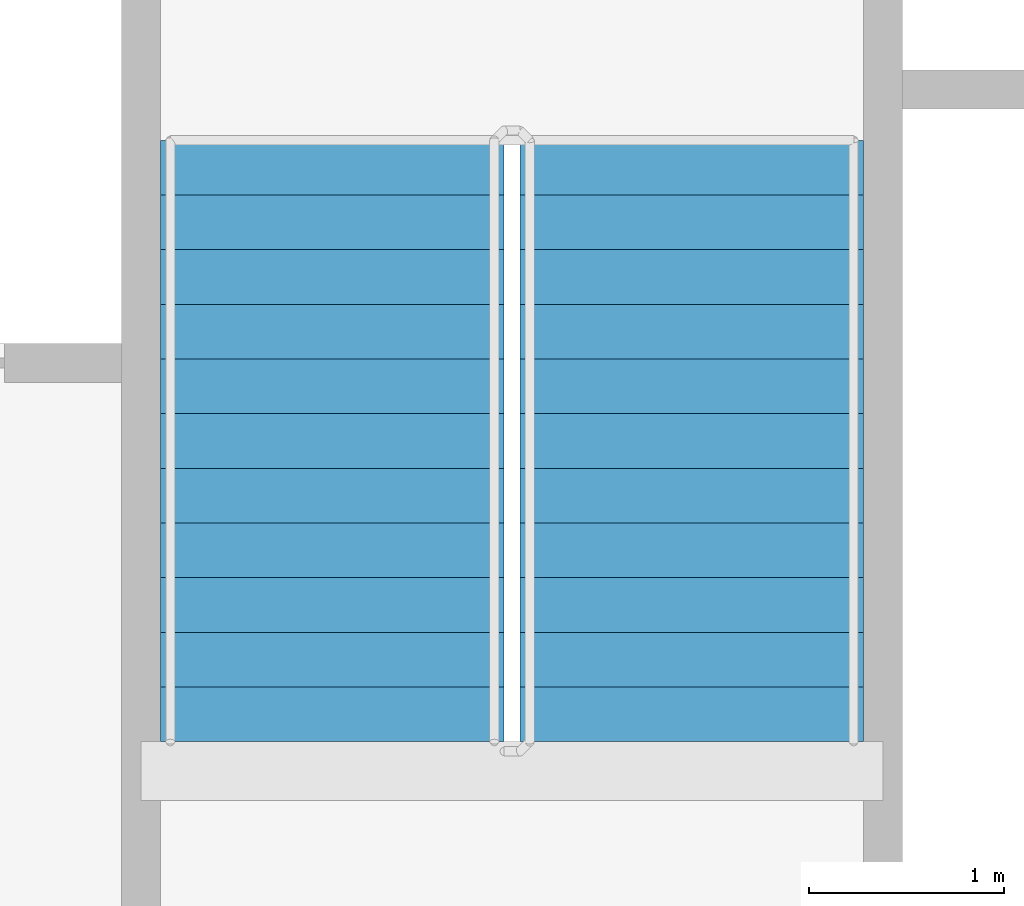
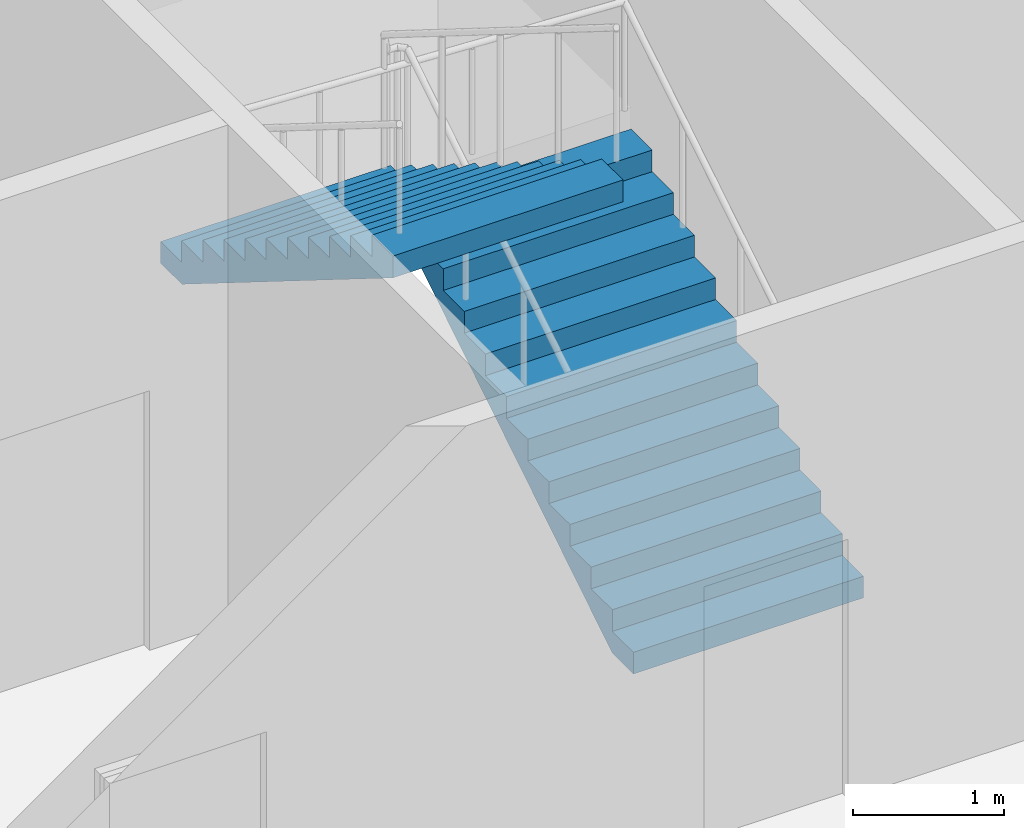
# One storey, part 28 of 33: 2 stair flights, 1 element without a shape of its own.
"""IFC4 building model written with IfcOpenShell, lengths in metres."""

from ifc_helpers import new_model, si_unit, direction, frame, origin, place, context, subcontext, project, spatial, faceted_brep, material, type_object, element, aggregate, save


model = new_model("IFC4")

# Units and contexts
model_context = context("Model", 3, precision=1e-05, world=origin(), true_north=direction((0.0, 1.0)))
body_context = subcontext(model_context, "Body", "Model", "MODEL_VIEW")
ifc_project = project(units=[si_unit("LENGTHUNIT", "METRE"), si_unit("AREAUNIT", "SQUARE_METRE"), si_unit("VOLUMEUNIT", "CUBIC_METRE"), si_unit("PLANEANGLEUNIT", "RADIAN"), si_unit("MASSUNIT", "GRAM", prefix="KILO")], contexts=[model_context])

# Site, building, storey
site_placement = place(None, origin())
site = spatial("IfcSite", under=ifc_project, at=site_placement, CompositionType="ELEMENT")
building_placement = place(site_placement, origin())
building = spatial("IfcBuilding", under=site, at=building_placement, Name="Tarsis Ring Headquarters", CompositionType="ELEMENT")
storey_placement = place(building_placement, frame((0.0, 0.0, 369.199951171875)))
storey = spatial("IfcBuildingStorey", under=building, at=storey_placement, Name="L87", CompositionType="ELEMENT", Elevation=369.199951171875)

# Stair, stair flights
ifc_material_1 = material(Name="Core stair 1760")
stair_type = type_object("IfcStairType", Name="Core stair 1760", PredefinedType="HALF_TURN_STAIR", material=ifc_material_1)
stair_placement = place(storey_placement, origin())
stair = element("IfcStair", 1, at=stair_placement, inside=storey, type_object=stair_type, Name="L87 Exit stair B", PredefinedType="HALF_TURN_STAIR")
ifc_material_2 = material(Name="Concrete C40/50", Category="concrete")
stair_flight_type = type_object("IfcStairFlightType", Name="Core stair flight 1760", PredefinedType="STRAIGHT", material=ifc_material_2)
stair_flight_1_placement = place(storey_placement, frame((5.419921875, 3.659912109375, 0.0), z_axis=(0.0, 0.0, 1.0), x_axis=(0.0, 1.0, 0.0)))
stair_flight_1 = element("IfcStairFlight", 2, at=stair_flight_1_placement, type_object=stair_flight_type, Name="Stair ST2 flight 1", NumberOfRisers=12, NumberOfTreads=11, PredefinedType="STRAIGHT", RiserHeight=0.175, TreadLength=0.28, context=body_context, shape_type="Brep", body=[
    faceted_brep([(0.0, 0.8798828125, 0.0), (0.0, 0.8798828125, 0.175048828125), (0.280029296875, 0.8798828125, 0.175048828125), (0.280029296875, 0.8798828125, 0.35009765625), (0.56005859375, 0.8798828125, 0.35009765625), (0.56005859375, 0.8798828125, 0.52490234375), (0.840087890625, 0.8798828125, 0.52490234375), (0.840087890625, 0.8798828125, 0.699951171875), (1.1201171875, 0.8798828125, 0.699951171875), (1.1201171875, 0.8798828125, 0.875), (1.39990234375, 0.8798828125, 0.875), (1.39990234375, 0.8798828125, 1.050048828125), (1.679931640625, 0.8798828125, 1.050048828125), (1.679931640625, 0.8798828125, 1.22509765625), (1.9599609375, 0.8798828125, 1.22509765625), (1.9599609375, 0.8798828125, 1.39990234375), (2.239990234375, 0.8798828125, 1.39990234375), (2.239990234375, 0.8798828125, 1.574951171875), (2.52001953125, 0.8798828125, 1.574951171875), (2.52001953125, 0.8798828125, 1.75), (2.800048828125, 0.8798828125, 1.75), (2.800048828125, 0.8798828125, 1.925048828125), (3.080078125, 0.8798828125, 1.925048828125), (3.080078125, 0.8798828125, 1.748291015625), (0.28271484375, 0.8798828125, 0.0), (0.28271484375, -0.8798828125, 0.0), (3.080078125, -0.8798828125, 1.748291015625), (3.080078125, -0.8798828125, 1.925048828125), (2.800048828125, -0.8798828125, 1.925048828125), (2.800048828125, -0.8798828125, 1.75), (2.52001953125, -0.8798828125, 1.75), (2.52001953125, -0.8798828125, 1.574951171875), (2.239990234375, -0.8798828125, 1.574951171875), (2.239990234375, -0.8798828125, 1.39990234375), (1.9599609375, -0.8798828125, 1.39990234375), (1.9599609375, -0.8798828125, 1.22509765625), (1.679931640625, -0.8798828125, 1.22509765625), (1.679931640625, -0.8798828125, 1.050048828125), (1.39990234375, -0.8798828125, 1.050048828125), (1.39990234375, -0.8798828125, 0.875), (1.1201171875, -0.8798828125, 0.875), (1.1201171875, -0.8798828125, 0.699951171875), (0.840087890625, -0.8798828125, 0.699951171875), (0.840087890625, -0.8798828125, 0.52490234375), (0.56005859375, -0.8798828125, 0.52490234375), (0.56005859375, -0.8798828125, 0.35009765625), (0.280029296875, -0.8798828125, 0.35009765625), (0.280029296875, -0.8798828125, 0.175048828125), (0.0, -0.8798828125, 0.175048828125), (0.0, -0.8798828125, 0.0), (0.0, -0.43994140625, 0.175048828125), (0.0, -0.43994140625, 0.0), (0.0, 0.0, 0.175048828125), (0.0, 0.0, 0.0), (0.0, 0.43994140625, 0.175048828125), (0.0, 0.43994140625, 0.0), (0.280029296875, -0.43994140625, 0.175048828125), (0.280029296875, 0.0, 0.175048828125), (0.280029296875, 0.43994140625, 0.175048828125), (0.280029296875, -0.43994140625, 0.35009765625), (0.280029296875, 0.0, 0.35009765625), (0.280029296875, 0.43994140625, 0.35009765625), (0.56005859375, -0.43994140625, 0.35009765625), (0.56005859375, 0.0, 0.35009765625), (0.56005859375, 0.43994140625, 0.35009765625), (0.56005859375, -0.43994140625, 0.52490234375), (0.56005859375, 0.0, 0.52490234375), (0.56005859375, 0.43994140625, 0.52490234375), (0.840087890625, -0.43994140625, 0.52490234375), (0.840087890625, 0.0, 0.52490234375), (0.840087890625, 0.43994140625, 0.52490234375), (0.840087890625, -0.43994140625, 0.699951171875), (0.840087890625, 0.0, 0.699951171875), (0.840087890625, 0.43994140625, 0.699951171875), (1.1201171875, -0.43994140625, 0.699951171875), (1.1201171875, 0.0, 0.699951171875), (1.1201171875, 0.43994140625, 0.699951171875), (1.1201171875, -0.43994140625, 0.875), (1.1201171875, 0.0, 0.875), (1.1201171875, 0.43994140625, 0.875), (1.39990234375, -0.43994140625, 0.875), (1.39990234375, 0.0, 0.875), (1.39990234375, 0.43994140625, 0.875), (1.39990234375, -0.43994140625, 1.050048828125), (1.39990234375, 0.0, 1.050048828125), (1.39990234375, 0.43994140625, 1.050048828125), (1.679931640625, -0.43994140625, 1.050048828125), (1.679931640625, 0.0, 1.050048828125), (1.679931640625, 0.43994140625, 1.050048828125), (1.679931640625, -0.43994140625, 1.22509765625), (1.679931640625, 0.0, 1.22509765625), (1.679931640625, 0.43994140625, 1.22509765625), (1.9599609375, -0.43994140625, 1.22509765625), (1.9599609375, 0.0, 1.22509765625), (1.9599609375, 0.43994140625, 1.22509765625), (1.9599609375, -0.43994140625, 1.39990234375), (1.9599609375, 0.0, 1.39990234375), (1.9599609375, 0.43994140625, 1.39990234375), (2.239990234375, -0.43994140625, 1.39990234375), (2.239990234375, 0.0, 1.39990234375), (2.239990234375, 0.43994140625, 1.39990234375), (2.239990234375, -0.43994140625, 1.574951171875), (2.239990234375, 0.0, 1.574951171875), (2.239990234375, 0.43994140625, 1.574951171875), (2.52001953125, -0.43994140625, 1.574951171875), (2.52001953125, 0.0, 1.574951171875), (2.52001953125, 0.43994140625, 1.574951171875), (2.52001953125, -0.43994140625, 1.75), (2.52001953125, 0.0, 1.75), (2.52001953125, 0.43994140625, 1.75), (2.800048828125, -0.43994140625, 1.75), (2.800048828125, 0.0, 1.75), (2.800048828125, 0.43994140625, 1.75), (2.800048828125, -0.43994140625, 1.925048828125), (2.800048828125, 0.0, 1.925048828125), (2.800048828125, 0.43994140625, 1.925048828125), (3.080078125, -0.43994140625, 1.925048828125), (3.080078125, 0.0, 1.925048828125), (3.080078125, 0.43994140625, 1.925048828125), (3.080078125, -0.43994140625, 1.748291015625), (3.080078125, 0.0, 1.748291015625), (3.080078125, 0.43994140625, 1.748291015625), (0.28271484375, -0.43994140625, 0.0), (0.28271484375, 0.0, 0.0), (0.28271484375, 0.43994140625, 0.0)], [[[0, 1, 2, 3, 4, 5, 6, 7, 8, 9, 10, 11, 12, 13, 14, 15, 16, 17, 18, 19, 20, 21, 22, 23, 24]], [[25, 26, 27, 28, 29, 30, 31, 32, 33, 34, 35, 36, 37, 38, 39, 40, 41, 42, 43, 44, 45, 46, 47, 48, 49]], [[49, 48, 50, 51]], [[51, 50, 52, 53]], [[53, 52, 54, 55]], [[55, 54, 1, 0]], [[48, 47, 56, 50]], [[50, 56, 57, 52]], [[52, 57, 58, 54]], [[54, 58, 2, 1]], [[47, 46, 59, 56]], [[56, 59, 60, 57]], [[57, 60, 61, 58]], [[58, 61, 3, 2]], [[46, 45, 62, 59]], [[59, 62, 63, 60]], [[60, 63, 64, 61]], [[61, 64, 4, 3]], [[45, 44, 65, 62]], [[62, 65, 66, 63]], [[63, 66, 67, 64]], [[64, 67, 5, 4]], [[44, 43, 68, 65]], [[65, 68, 69, 66]], [[66, 69, 70, 67]], [[67, 70, 6, 5]], [[43, 42, 71, 68]], [[68, 71, 72, 69]], [[69, 72, 73, 70]], [[70, 73, 7, 6]], [[42, 41, 74, 71]], [[71, 74, 75, 72]], [[72, 75, 76, 73]], [[73, 76, 8, 7]], [[41, 40, 77, 74]], [[74, 77, 78, 75]], [[75, 78, 79, 76]], [[76, 79, 9, 8]], [[40, 39, 80, 77]], [[77, 80, 81, 78]], [[78, 81, 82, 79]], [[79, 82, 10, 9]], [[39, 38, 83, 80]], [[80, 83, 84, 81]], [[81, 84, 85, 82]], [[82, 85, 11, 10]], [[38, 37, 86, 83]], [[83, 86, 87, 84]], [[84, 87, 88, 85]], [[85, 88, 12, 11]], [[37, 36, 89, 86]], [[86, 89, 90, 87]], [[87, 90, 91, 88]], [[88, 91, 13, 12]], [[36, 35, 92, 89]], [[89, 92, 93, 90]], [[90, 93, 94, 91]], [[91, 94, 14, 13]], [[35, 34, 95, 92]], [[92, 95, 96, 93]], [[93, 96, 97, 94]], [[94, 97, 15, 14]], [[34, 33, 98, 95]], [[95, 98, 99, 96]], [[96, 99, 100, 97]], [[97, 100, 16, 15]], [[33, 32, 101, 98]], [[98, 101, 102, 99]], [[99, 102, 103, 100]], [[100, 103, 17, 16]], [[32, 31, 104, 101]], [[101, 104, 105, 102]], [[102, 105, 106, 103]], [[103, 106, 18, 17]], [[31, 30, 107, 104]], [[104, 107, 108, 105]], [[105, 108, 109, 106]], [[106, 109, 19, 18]], [[30, 29, 110, 107]], [[107, 110, 111, 108]], [[108, 111, 112, 109]], [[109, 112, 20, 19]], [[29, 28, 113, 110]], [[110, 113, 114, 111]], [[111, 114, 115, 112]], [[112, 115, 21, 20]], [[28, 27, 116, 113]], [[113, 116, 117, 114]], [[114, 117, 118, 115]], [[115, 118, 22, 21]], [[27, 26, 119, 116]], [[116, 119, 120, 117]], [[117, 120, 121, 118]], [[118, 121, 23, 22]], [[26, 25, 122, 119]], [[119, 122, 123, 120]], [[120, 123, 124, 121]], [[121, 124, 24, 23]], [[25, 49, 51, 122]], [[122, 51, 53, 123]], [[123, 53, 55, 124]], [[124, 55, 0, 24]]]),
])
stair_flight_2_placement = place(storey_placement, frame((3.580078125, 6.739990234375, 2.10009765625), z_axis=(0.0, 0.0, 1.0), x_axis=(0.0, -1.0, 0.0)))
stair_flight_2 = element("IfcStairFlight", 3, at=stair_flight_2_placement, type_object=stair_flight_type, Name="Stair ST2 flight 2", NumberOfRisers=12, NumberOfTreads=11, PredefinedType="STRAIGHT", RiserHeight=0.175, TreadLength=0.28, context=body_context, shape_type="Brep", body=[
    faceted_brep([(0.0, 0.8798828125, 0.0), (0.0, 0.8798828125, 0.175048828125), (0.280029296875, 0.8798828125, 0.175048828125), (0.280029296875, 0.8798828125, 0.35009765625), (0.56005859375, 0.8798828125, 0.35009765625), (0.56005859375, 0.8798828125, 0.52490234375), (0.840087890625, 0.8798828125, 0.52490234375), (0.840087890625, 0.8798828125, 0.699951171875), (1.1201171875, 0.8798828125, 0.699951171875), (1.1201171875, 0.8798828125, 0.875), (1.39990234375, 0.8798828125, 0.875), (1.39990234375, 0.8798828125, 1.050048828125), (1.679931640625, 0.8798828125, 1.050048828125), (1.679931640625, 0.8798828125, 1.22509765625), (1.9599609375, 0.8798828125, 1.22509765625), (1.9599609375, 0.8798828125, 1.39990234375), (2.239990234375, 0.8798828125, 1.39990234375), (2.239990234375, 0.8798828125, 1.574951171875), (2.52001953125, 0.8798828125, 1.574951171875), (2.52001953125, 0.8798828125, 1.75), (2.800048828125, 0.8798828125, 1.75), (2.800048828125, 0.8798828125, 1.925048828125), (3.080078125, 0.8798828125, 1.925048828125), (3.080078125, 0.8798828125, 1.748291015625), (0.28271484375, 0.8798828125, 0.0), (0.28271484375, -0.8798828125, 0.0), (3.080078125, -0.8798828125, 1.748291015625), (3.080078125, -0.8798828125, 1.925048828125), (2.800048828125, -0.8798828125, 1.925048828125), (2.800048828125, -0.8798828125, 1.75), (2.52001953125, -0.8798828125, 1.75), (2.52001953125, -0.8798828125, 1.574951171875), (2.239990234375, -0.8798828125, 1.574951171875), (2.239990234375, -0.8798828125, 1.39990234375), (1.9599609375, -0.8798828125, 1.39990234375), (1.9599609375, -0.8798828125, 1.22509765625), (1.679931640625, -0.8798828125, 1.22509765625), (1.679931640625, -0.8798828125, 1.050048828125), (1.39990234375, -0.8798828125, 1.050048828125), (1.39990234375, -0.8798828125, 0.875), (1.1201171875, -0.8798828125, 0.875), (1.1201171875, -0.8798828125, 0.699951171875), (0.840087890625, -0.8798828125, 0.699951171875), (0.840087890625, -0.8798828125, 0.52490234375), (0.56005859375, -0.8798828125, 0.52490234375), (0.56005859375, -0.8798828125, 0.35009765625), (0.280029296875, -0.8798828125, 0.35009765625), (0.280029296875, -0.8798828125, 0.175048828125), (0.0, -0.8798828125, 0.175048828125), (0.0, -0.8798828125, 0.0), (0.0, -0.43994140625, 0.175048828125), (0.0, -0.43994140625, 0.0), (0.0, 0.0, 0.175048828125), (0.0, 0.0, 0.0), (0.0, 0.43994140625, 0.175048828125), (0.0, 0.43994140625, 0.0), (0.280029296875, -0.43994140625, 0.175048828125), (0.280029296875, 0.0, 0.175048828125), (0.280029296875, 0.43994140625, 0.175048828125), (0.280029296875, -0.43994140625, 0.35009765625), (0.280029296875, 0.0, 0.35009765625), (0.280029296875, 0.43994140625, 0.35009765625), (0.56005859375, -0.43994140625, 0.35009765625), (0.56005859375, 0.0, 0.35009765625), (0.56005859375, 0.43994140625, 0.35009765625), (0.56005859375, -0.43994140625, 0.52490234375), (0.56005859375, 0.0, 0.52490234375), (0.56005859375, 0.43994140625, 0.52490234375), (0.840087890625, -0.43994140625, 0.52490234375), (0.840087890625, 0.0, 0.52490234375), (0.840087890625, 0.43994140625, 0.52490234375), (0.840087890625, -0.43994140625, 0.699951171875), (0.840087890625, 0.0, 0.699951171875), (0.840087890625, 0.43994140625, 0.699951171875), (1.1201171875, -0.43994140625, 0.699951171875), (1.1201171875, 0.0, 0.699951171875), (1.1201171875, 0.43994140625, 0.699951171875), (1.1201171875, -0.43994140625, 0.875), (1.1201171875, 0.0, 0.875), (1.1201171875, 0.43994140625, 0.875), (1.39990234375, -0.43994140625, 0.875), (1.39990234375, 0.0, 0.875), (1.39990234375, 0.43994140625, 0.875), (1.39990234375, -0.43994140625, 1.050048828125), (1.39990234375, 0.0, 1.050048828125), (1.39990234375, 0.43994140625, 1.050048828125), (1.679931640625, -0.43994140625, 1.050048828125), (1.679931640625, 0.0, 1.050048828125), (1.679931640625, 0.43994140625, 1.050048828125), (1.679931640625, -0.43994140625, 1.22509765625), (1.679931640625, 0.0, 1.22509765625), (1.679931640625, 0.43994140625, 1.22509765625), (1.9599609375, -0.43994140625, 1.22509765625), (1.9599609375, 0.0, 1.22509765625), (1.9599609375, 0.43994140625, 1.22509765625), (1.9599609375, -0.43994140625, 1.39990234375), (1.9599609375, 0.0, 1.39990234375), (1.9599609375, 0.43994140625, 1.39990234375), (2.239990234375, -0.43994140625, 1.39990234375), (2.239990234375, 0.0, 1.39990234375), (2.239990234375, 0.43994140625, 1.39990234375), (2.239990234375, -0.43994140625, 1.574951171875), (2.239990234375, 0.0, 1.574951171875), (2.239990234375, 0.43994140625, 1.574951171875), (2.52001953125, -0.43994140625, 1.574951171875), (2.52001953125, 0.0, 1.574951171875), (2.52001953125, 0.43994140625, 1.574951171875), (2.52001953125, -0.43994140625, 1.75), (2.52001953125, 0.0, 1.75), (2.52001953125, 0.43994140625, 1.75), (2.800048828125, -0.43994140625, 1.75), (2.800048828125, 0.0, 1.75), (2.800048828125, 0.43994140625, 1.75), (2.800048828125, -0.43994140625, 1.925048828125), (2.800048828125, 0.0, 1.925048828125), (2.800048828125, 0.43994140625, 1.925048828125), (3.080078125, -0.43994140625, 1.925048828125), (3.080078125, 0.0, 1.925048828125), (3.080078125, 0.43994140625, 1.925048828125), (3.080078125, -0.43994140625, 1.748291015625), (3.080078125, 0.0, 1.748291015625), (3.080078125, 0.43994140625, 1.748291015625), (0.28271484375, -0.43994140625, 0.0), (0.28271484375, 0.0, 0.0), (0.28271484375, 0.43994140625, 0.0)], [[[0, 1, 2, 3, 4, 5, 6, 7, 8, 9, 10, 11, 12, 13, 14, 15, 16, 17, 18, 19, 20, 21, 22, 23, 24]], [[25, 26, 27, 28, 29, 30, 31, 32, 33, 34, 35, 36, 37, 38, 39, 40, 41, 42, 43, 44, 45, 46, 47, 48, 49]], [[49, 48, 50, 51]], [[51, 50, 52, 53]], [[53, 52, 54, 55]], [[55, 54, 1, 0]], [[48, 47, 56, 50]], [[50, 56, 57, 52]], [[52, 57, 58, 54]], [[54, 58, 2, 1]], [[47, 46, 59, 56]], [[56, 59, 60, 57]], [[57, 60, 61, 58]], [[58, 61, 3, 2]], [[46, 45, 62, 59]], [[59, 62, 63, 60]], [[60, 63, 64, 61]], [[61, 64, 4, 3]], [[45, 44, 65, 62]], [[62, 65, 66, 63]], [[63, 66, 67, 64]], [[64, 67, 5, 4]], [[44, 43, 68, 65]], [[65, 68, 69, 66]], [[66, 69, 70, 67]], [[67, 70, 6, 5]], [[43, 42, 71, 68]], [[68, 71, 72, 69]], [[69, 72, 73, 70]], [[70, 73, 7, 6]], [[42, 41, 74, 71]], [[71, 74, 75, 72]], [[72, 75, 76, 73]], [[73, 76, 8, 7]], [[41, 40, 77, 74]], [[74, 77, 78, 75]], [[75, 78, 79, 76]], [[76, 79, 9, 8]], [[40, 39, 80, 77]], [[77, 80, 81, 78]], [[78, 81, 82, 79]], [[79, 82, 10, 9]], [[39, 38, 83, 80]], [[80, 83, 84, 81]], [[81, 84, 85, 82]], [[82, 85, 11, 10]], [[38, 37, 86, 83]], [[83, 86, 87, 84]], [[84, 87, 88, 85]], [[85, 88, 12, 11]], [[37, 36, 89, 86]], [[86, 89, 90, 87]], [[87, 90, 91, 88]], [[88, 91, 13, 12]], [[36, 35, 92, 89]], [[89, 92, 93, 90]], [[90, 93, 94, 91]], [[91, 94, 14, 13]], [[35, 34, 95, 92]], [[92, 95, 96, 93]], [[93, 96, 97, 94]], [[94, 97, 15, 14]], [[34, 33, 98, 95]], [[95, 98, 99, 96]], [[96, 99, 100, 97]], [[97, 100, 16, 15]], [[33, 32, 101, 98]], [[98, 101, 102, 99]], [[99, 102, 103, 100]], [[100, 103, 17, 16]], [[32, 31, 104, 101]], [[101, 104, 105, 102]], [[102, 105, 106, 103]], [[103, 106, 18, 17]], [[31, 30, 107, 104]], [[104, 107, 108, 105]], [[105, 108, 109, 106]], [[106, 109, 19, 18]], [[30, 29, 110, 107]], [[107, 110, 111, 108]], [[108, 111, 112, 109]], [[109, 112, 20, 19]], [[29, 28, 113, 110]], [[110, 113, 114, 111]], [[111, 114, 115, 112]], [[112, 115, 21, 20]], [[28, 27, 116, 113]], [[113, 116, 117, 114]], [[114, 117, 118, 115]], [[115, 118, 22, 21]], [[27, 26, 119, 116]], [[116, 119, 120, 117]], [[117, 120, 121, 118]], [[118, 121, 23, 22]], [[26, 25, 122, 119]], [[119, 122, 123, 120]], [[120, 123, 124, 121]], [[121, 124, 24, 23]], [[25, 49, 51, 122]], [[122, 51, 53, 123]], [[123, 53, 55, 124]], [[124, 55, 0, 24]]]),
])
aggregate(stair, [stair_flight_1, stair_flight_2])

save(model, "model.ifc")
